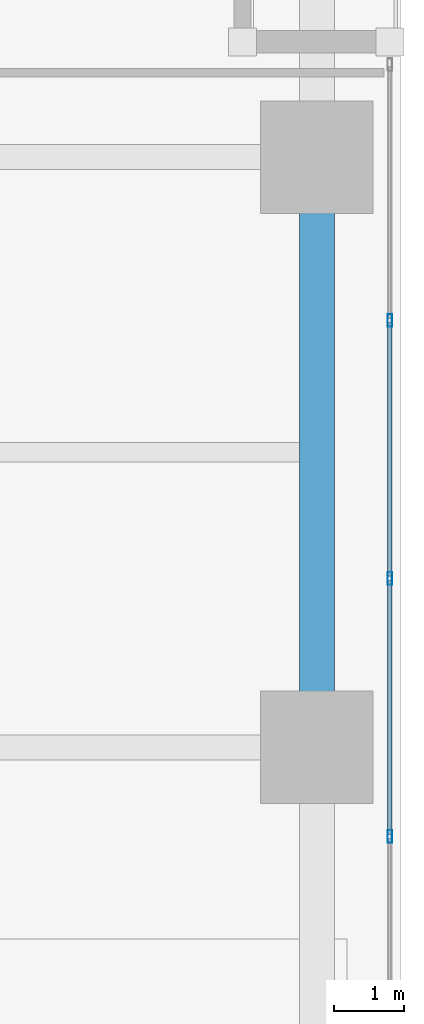
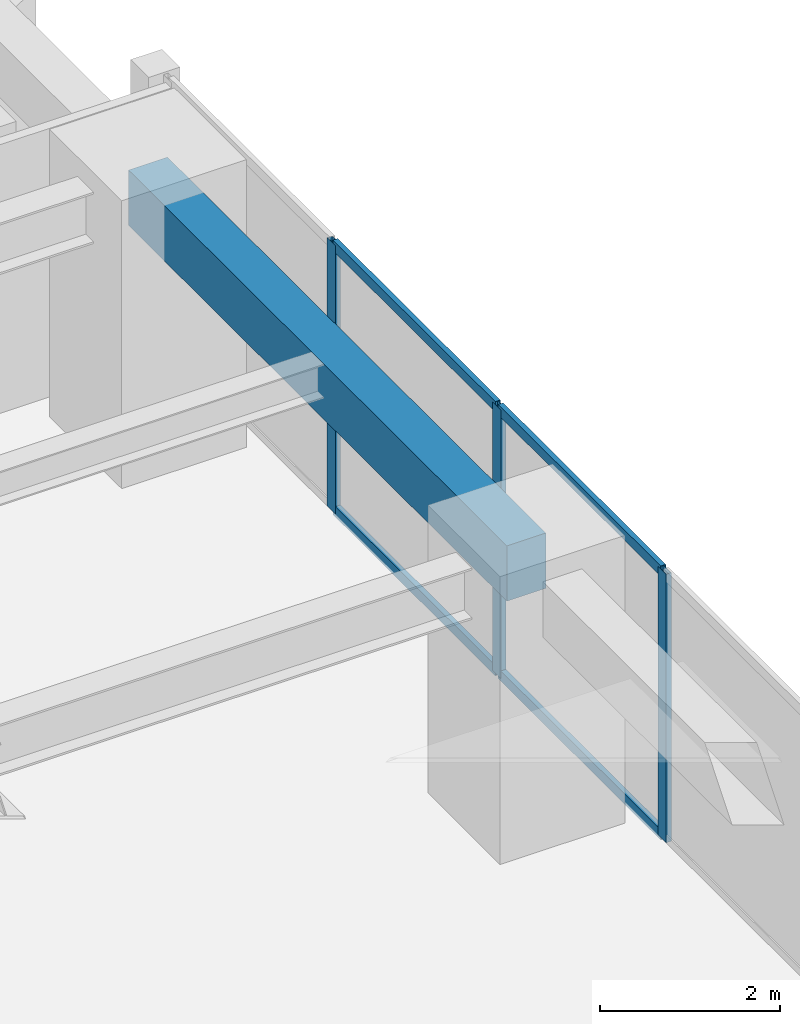
# One storey, part 8 of 28: 7 members, 1 beam, 1 element without a shape of its own.
"""IFC4 building model written with IfcOpenShell, lengths in metres."""

from ifc_helpers import new_model, si_unit, direction, frame, origin, origin_2d, place, context, subcontext, project, spatial, rectangle, hollow_rectangle, extrude, material, layer, layer_set, material_profile, profile_set, type_object, element, aggregate, save


model = new_model("IFC4")

# Units and contexts
model_context = context("Model", 3, precision=1e-05, world=origin(), true_north=direction((0.0, 1.0)))
body_context = subcontext(model_context, "Body", "Model", "MODEL_VIEW")
ifc_project = project(units=[si_unit("LENGTHUNIT", "METRE"), si_unit("AREAUNIT", "SQUARE_METRE"), si_unit("VOLUMEUNIT", "CUBIC_METRE"), si_unit("PLANEANGLEUNIT", "RADIAN"), si_unit("MASSUNIT", "GRAM", prefix="KILO")], contexts=[model_context])

# Site, building, storey
site_placement = place(None, origin())
site = spatial("IfcSite", under=ifc_project, at=site_placement, CompositionType="ELEMENT")
building_placement = place(site_placement, origin())
building = spatial("IfcBuilding", under=site, at=building_placement, Name="Kiyonajd Concourse Tower", CompositionType="ELEMENT")
storey_placement = place(building_placement, frame((0.0, 0.0, 41.10009765625)))
storey = spatial("IfcBuildingStorey", under=building, at=storey_placement, Name="L11", CompositionType="ELEMENT", Elevation=41.10009765625)

# Beam
ifc_material_1 = material(Name="Precast concrete C50/60", Category="concrete")
ifc_material_profile_1 = material_profile(ifc_material_1, rectangle(XDim=0.5, YDim=0.75, at=origin_2d()), Name="RCBM-500x750")
ifc_profile_set_1 = profile_set([ifc_material_profile_1], Name="Precast concrete C50/60")
beam_type = type_object("IfcBeamType", Name="BM-SPAN-RC", PredefinedType="SPANDREL", material=ifc_profile_set_1)
beam_placement = place(storey_placement, frame((78.0, 27.60009765625, 3.264892578125), z_axis=(0.0, 1.0, 0.0), x_axis=(-1.0, 0.0, 0.0)))
element("IfcBeam", 1, at=beam_placement, inside=storey, type_object=beam_type, Name="L11 Perimeter Bundled Tube Spandrel", PredefinedType="SPANDREL", context=body_context, shape_type="SweptSolid", body=[
    extrude(rectangle(XDim=0.5, YDim=0.75, at=origin_2d()), origin(), (0.0, 0.0, 1.0), 8.39990234375),
])

# Curtain wall, members
ifc_material_2 = material(Name="Thermally Broken Anodised Aluminium", Category="aluminium")
ifc_layer = layer(ifc_material_2, 0.179931640625)
ifc_layer_set = layer_set([ifc_layer], Name="Thermally Broken Anodised Aluminium")
curtain_wall_type = type_object("IfcCurtainWallType", Name="CW-SYS-02", PredefinedType="NOTDEFINED", material=ifc_layer_set)
curtain_wall_placement = place(storey_placement, origin())
curtain_wall = element("IfcCurtainWall", 2, at=curtain_wall_placement, inside=storey, type_object=curtain_wall_type, Name="L11 Unitised Curtain Wall CW2", PredefinedType="NOTDEFINED")
ifc_material_profile_2 = material_profile(ifc_material_2, hollow_rectangle(XDim=0.06494140625, YDim=0.179931640625, WallThickness=0.00390625, at=origin_2d()), Name="MULL-65x180")
ifc_profile_set_2 = profile_set([ifc_material_profile_2], Name="Thermally Broken Anodised Aluminium")
member_type_1 = type_object("IfcMemberType", Name="MB-CW-MULL1", PredefinedType="MULLION", material=ifc_profile_set_2)
member_1_placement = place(storey_placement, frame((79.0400390625, 33.6767578125, 0.0), z_axis=(0.0, 0.0, 1.0), x_axis=(1.0, 0.0, 0.0)))
member_1 = element("IfcMember", 3, at=member_1_placement, type_object=member_type_1, Name="CW2 mullion 2", PredefinedType="MULLION", context=body_context, shape_type="SweptSolid", body=[
    extrude(hollow_rectangle(XDim=0.06494140625, YDim=0.179931640625, WallThickness=0.00390625, at=origin_2d()), origin(), (0.0, 0.0, 1.0), 3.639892578125),
])
member_2_placement = place(storey_placement, frame((79.0400390625, 30.003662109375, 0.0), z_axis=(0.0, 0.0, 1.0), x_axis=(1.0, 0.0, 0.0)))
member_2 = element("IfcMember", 4, at=member_2_placement, type_object=member_type_1, Name="CW2 mullion 3", PredefinedType="MULLION", context=body_context, shape_type="SweptSolid", body=[
    extrude(hollow_rectangle(XDim=0.06494140625, YDim=0.179931640625, WallThickness=0.00390625, at=origin_2d()), origin(), (0.0, 0.0, 1.0), 3.639892578125),
])
member_3_placement = place(storey_placement, frame((79.0400390625, 26.33056640625, 0.0), z_axis=(0.0, 0.0, 1.0), x_axis=(1.0, 0.0, 0.0)))
member_3 = element("IfcMember", 5, at=member_3_placement, type_object=member_type_1, Name="CW2 mullion 4", PredefinedType="MULLION", context=body_context, shape_type="SweptSolid", body=[
    extrude(hollow_rectangle(XDim=0.06494140625, YDim=0.179931640625, WallThickness=0.00390625, at=origin_2d()), origin(), (0.0, 0.0, 1.0), 3.639892578125),
])
ifc_material_profile_3 = material_profile(ifc_material_2, hollow_rectangle(XDim=0.06494140625, YDim=0.139892578125, WallThickness=0.00390625, at=origin_2d()), Name="TRAN-65x140")
ifc_profile_set_3 = profile_set([ifc_material_profile_3], Name="Thermally Broken Anodised Aluminium")
member_type_2 = type_object("IfcMemberType", Name="MB-CW-TRAN1", PredefinedType="USERDEFINED", material=ifc_profile_set_3)
member_4_placement = place(storey_placement, frame((79.0400390625, 33.644287109375, 0.032470703125), z_axis=(0.0, -1.0, 0.0), x_axis=(1.0, 0.0, 0.0)))
member_4 = element("IfcMember", 6, at=member_4_placement, type_object=member_type_2, Name="CW2 transom 2.1", ObjectType="TRANSOM", PredefinedType="USERDEFINED", context=body_context, shape_type="SweptSolid", body=[
    extrude(hollow_rectangle(XDim=0.06494140625, YDim=0.139892578125, WallThickness=0.00390625, at=origin_2d()), origin(), (0.0, 0.0, 1.0), 3.608154296875),
])
member_5_placement = place(storey_placement, frame((79.0400390625, 33.644287109375, 3.607421875), z_axis=(0.0, -1.0, 0.0), x_axis=(1.0, 0.0, 0.0)))
member_5 = element("IfcMember", 7, at=member_5_placement, type_object=member_type_2, Name="CW2 transom 2.2", ObjectType="TRANSOM", PredefinedType="USERDEFINED", context=body_context, shape_type="SweptSolid", body=[
    extrude(hollow_rectangle(XDim=0.06494140625, YDim=0.139892578125, WallThickness=0.00390625, at=origin_2d()), origin(), (0.0, 0.0, 1.0), 3.608154296875),
])
member_6_placement = place(storey_placement, frame((79.0400390625, 29.97119140625, 0.032470703125), z_axis=(0.0, -1.0, 0.0), x_axis=(1.0, 0.0, 0.0)))
member_6 = element("IfcMember", 8, at=member_6_placement, type_object=member_type_2, Name="CW2 transom 3.1", ObjectType="TRANSOM", PredefinedType="USERDEFINED", context=body_context, shape_type="SweptSolid", body=[
    extrude(hollow_rectangle(XDim=0.06494140625, YDim=0.139892578125, WallThickness=0.00390625, at=origin_2d()), origin(), (0.0, 0.0, 1.0), 3.608154296875),
])
member_7_placement = place(storey_placement, frame((79.0400390625, 29.97119140625, 3.607421875), z_axis=(0.0, -1.0, 0.0), x_axis=(1.0, 0.0, 0.0)))
member_7 = element("IfcMember", 9, at=member_7_placement, type_object=member_type_2, Name="CW2 transom 3.2", ObjectType="TRANSOM", PredefinedType="USERDEFINED", context=body_context, shape_type="SweptSolid", body=[
    extrude(hollow_rectangle(XDim=0.06494140625, YDim=0.139892578125, WallThickness=0.00390625, at=origin_2d()), origin(), (0.0, 0.0, 1.0), 3.608154296875),
])
aggregate(curtain_wall, [member_1, member_2, member_3, member_4, member_5, member_6, member_7])

save(model, "model.ifc")
